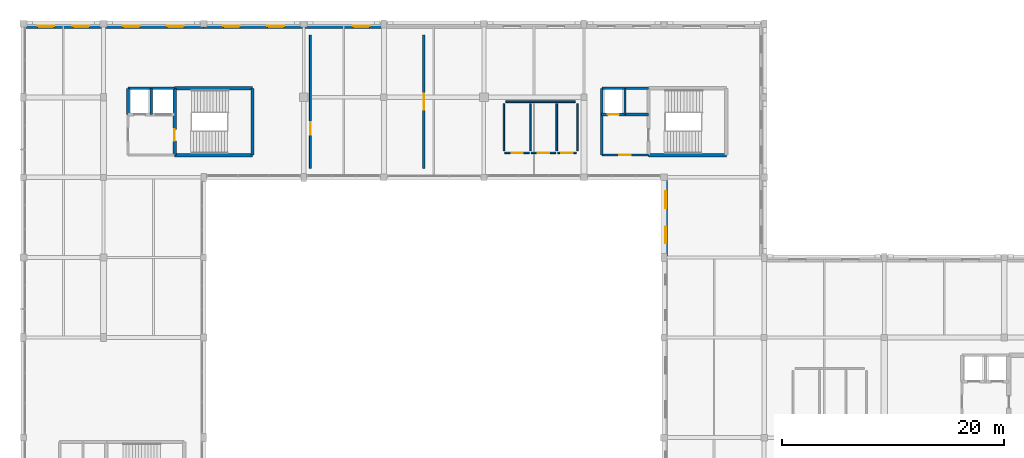
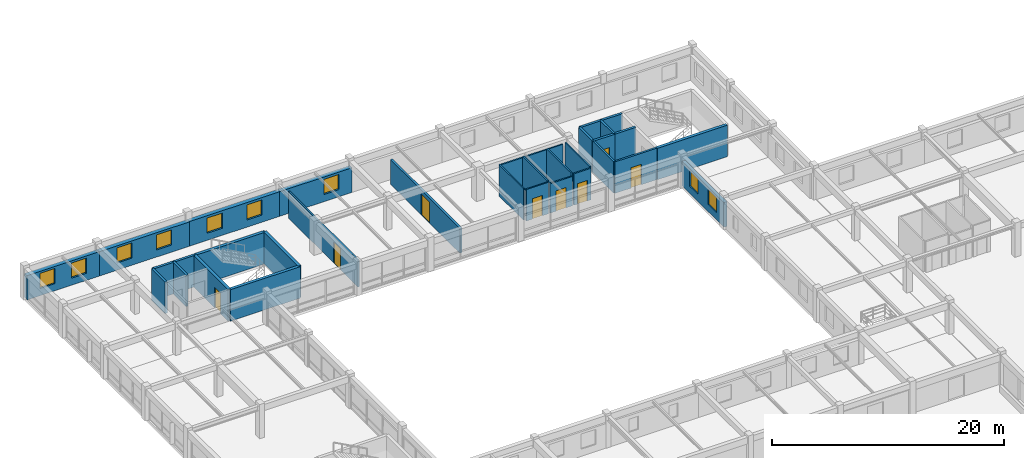
# One storey, part 54 of 74: 30 walls, 9 windows, 8 doors, 17 openings.
"""IFC4 building model written with IfcOpenShell, lengths in metres."""

import ifcopenshell
import ifcopenshell.guid

model = None  # the IFC model being written
_history = None  # IfcOwnerHistory: only IFC2X3 demands one
_inside = {}  # id of a spatial element -> (the spatial element, [elements in it])
_under = {}  # id of a project, library or spatial element -> (it, [spatial elements below it])
_declared = {}  # id of a project -> (the project, [libraries it declares])
_typed = {}  # id of a type object -> (the type object, [elements of that type])
_made_of = {}  # id of a material, layer set ... -> (it, [elements and type objects made of it])


def new_model(schema):
    """Start an empty IFC model of exactly this schema.

    Asked for "IFC4X3", IfcOpenShell would pick the latest addendum, in which some entities
    have other attributes; the version numbers below select the first issue.
    IFC2X3 requires an IfcOwnerHistory on every rooted entity: one is made here for all.
    """
    global model, _history
    if schema == "IFC4X3":
        model = ifcopenshell.file(schema_version=(4, 3, 0, 0))
    else:
        model = ifcopenshell.file(schema=schema)
    _inside.clear()
    _under.clear()
    _declared.clear()
    _typed.clear()
    _made_of.clear()
    _history = None
    if model.schema == "IFC2X3":
        org = make("IfcOrganization", Name="unknown")
        user = make(
            "IfcPersonAndOrganization",
            ThePerson=make("IfcPerson", FamilyName="unknown"),
            TheOrganization=org,
        )
        app = make(
            "IfcApplication",
            ApplicationDeveloper=org,
            Version="unknown",
            ApplicationFullName="unknown",
            ApplicationIdentifier="unknown",
        )
        _history = make(
            "IfcOwnerHistory",
            OwningUser=user,
            OwningApplication=app,
            ChangeAction="ADDED",
            CreationDate=0,
        )
    return model


def make(cls, **values):
    """One entity of the class cls with the attributes given. An attribute that is None is left unset."""
    return model.create_entity(
        cls, **{name: value for name, value in values.items() if value is not None}
    )


def rooted(cls, **values):
    """An entity with a GlobalId (a new one), such as an element, a storey or a relation."""
    return make(cls, GlobalId=ifcopenshell.guid.new(), OwnerHistory=_history, **values)


def si_unit(unit_type, name, prefix=None):
    """IfcSIUnit, for example si_unit("LENGTHUNIT", "METRE", prefix="MILLI")."""
    return make("IfcSIUnit", UnitType=unit_type, Prefix=prefix, Name=name)


def assignment(units):
    """IfcUnitAssignment: the units of a project."""
    return None if units is None else make("IfcUnitAssignment", Units=units)


def point(xyz):
    """IfcCartesianPoint."""
    return None if xyz is None else make("IfcCartesianPoint", Coordinates=xyz)


def direction(xyz):
    """IfcDirection."""
    return None if xyz is None else make("IfcDirection", DirectionRatios=xyz)


def frame(location, z_axis=None, x_axis=None):
    """IfcAxis2Placement3D, a coordinate frame: its origin and axes. An axis left out is left unset."""
    return make(
        "IfcAxis2Placement3D",
        Location=point(location),
        Axis=direction(z_axis),
        RefDirection=direction(x_axis),
    )


def frame_2d(location, x_axis=None):
    """IfcAxis2Placement2D, a coordinate frame in the plane: its origin and x axis."""
    return make(
        "IfcAxis2Placement2D", Location=point(location), RefDirection=direction(x_axis)
    )


def origin():
    """The frame at (0, 0, 0) with its axes left unset."""
    return frame((0.0, 0.0, 0.0))


def place(relative_to, where):
    """IfcLocalPlacement: puts the frame where relative to a parent placement (None: the world)."""
    return make(
        "IfcLocalPlacement", PlacementRelTo=relative_to, RelativePlacement=where
    )


def context(
    kind, dimensions, precision=None, world=None, true_north=None, identifier=None
):
    """IfcGeometricRepresentationContext, for example the 3D "Model" context."""
    return make(
        "IfcGeometricRepresentationContext",
        ContextIdentifier=identifier,
        ContextType=kind,
        CoordinateSpaceDimension=dimensions,
        Precision=precision,
        WorldCoordinateSystem=world,
        TrueNorth=true_north,
    )


def subcontext(parent, identifier, kind, view, scale=None):
    """IfcGeometricRepresentationSubContext, for example "Body" below "Model"."""
    return make(
        "IfcGeometricRepresentationSubContext",
        ContextIdentifier=identifier,
        ContextType=kind,
        ParentContext=parent,
        TargetScale=scale,
        TargetView=view,
    )


def project(units=None, contexts=None):
    """IfcProject with its units and contexts."""
    return rooted(
        "IfcProject",
        Name="project",
        RepresentationContexts=contexts,
        UnitsInContext=assignment(units),
    )


def spatial(cls, under=None, at=None, **own):
    """A site, building, storey or space (cls), placed at a placement, below another one or the project."""
    s = rooted(cls, ObjectPlacement=at, **own)
    if under is not None:
        _under.setdefault(under.id(), (under, []))[1].append(s)
    return s


def profile(cls, at=None, kind="AREA", **sizes):
    """A parametric profile (cls). Its sizes go by their IFC names, for example OverallWidth=200.0."""
    return make(cls, ProfileType=kind, Position=at, **sizes)


def rectangle(**sizes):
    """IfcRectangleProfileDef."""
    return profile("IfcRectangleProfileDef", **sizes)


def extrude(swept, where, along, depth):
    """IfcExtrudedAreaSolid: the profile swept, set in the frame where, extruded along a direction by depth."""
    return make(
        "IfcExtrudedAreaSolid",
        SweptArea=swept,
        Position=where,
        ExtrudedDirection=direction(along),
        Depth=depth,
    )


def shape(context_of_items, identifier, shape_type, items):
    """IfcShapeRepresentation: the items that make up one representation, for example the "Body"."""
    return make(
        "IfcShapeRepresentation",
        ContextOfItems=context_of_items,
        RepresentationIdentifier=identifier,
        RepresentationType=shape_type,
        Items=items,
    )


def material(Name=None, Category=None):
    """IfcMaterial."""
    return make("IfcMaterial", Name=Name, Category=Category)


def layer(
    of_material, thickness, ventilated=None, Name=None, Category=None, Priority=None
):
    """IfcMaterialLayer: one layer of a wall or slab, of a material (None: an air gap)."""
    return make(
        "IfcMaterialLayer",
        Material=of_material,
        LayerThickness=thickness,
        IsVentilated=ventilated,
        Name=Name,
        Category=Category,
        Priority=Priority,
    )


def layer_set(layers, Name=None):
    """IfcMaterialLayerSet."""
    return make("IfcMaterialLayerSet", MaterialLayers=layers, LayerSetName=Name)


def made_of(thing, what):
    """Note that an element or type object is made of a material, layer set ...; save() writes the relation."""
    if what is not None:
        _made_of.setdefault(what.id(), (what, []))[1].append(thing)
    return thing


def type_object(cls, material=None, **own):
    """A type object (cls), such as IfcWallType, which elements share."""
    return made_of(rooted(cls, **own), material)


def element(
    cls,
    number,
    at=None,
    inside=None,
    cuts=None,
    type_object=None,
    material=None,
    context=None,
    identifier="Body",
    shape_type=None,
    held_by="IfcProductDefinitionShape",
    body=None,
    shapes=None,
    **own,
):
    """One element of the class cls, such as IfcWall. Its Tag is "e" and its number.

    at: its placement. inside: the storey or other place that contains it. cuts: it is an
    opening in that element (IfcRelVoidsElement). A single representation is given by context,
    identifier, shape_type and body (its items); several are given by shapes. held_by: the class
    of the entity that holds the representations. save() writes the other relations.
    """
    e = rooted(cls, Tag="e%d" % number, ObjectPlacement=at, **own)
    if body is not None:
        shapes = [shape(context, identifier, shape_type, body)]
    if shapes is not None:
        e.Representation = make(held_by, Representations=shapes)
    if inside is not None:
        _inside.setdefault(inside.id(), (inside, []))[1].append(e)
    if cuts is not None:
        rooted(
            "IfcRelVoidsElement", RelatingBuildingElement=cuts, RelatedOpeningElement=e
        )
    if type_object is not None:
        _typed.setdefault(type_object.id(), (type_object, []))[1].append(e)
    return made_of(e, material)


def fill(opening, filler):
    """IfcRelFillsElement: the door or window that sits in an opening."""
    return rooted(
        "IfcRelFillsElement",
        RelatingOpeningElement=opening,
        RelatedBuildingElement=filler,
    )


def aggregate(whole, parts):
    """IfcRelAggregates: a whole, such as a stair, and the parts it consists of."""
    return rooted("IfcRelAggregates", RelatingObject=whole, RelatedObjects=parts)


def save(model, path):
    """Write the relations noted so far, then the file.

    IfcRelAggregates (storeys below a building ...), IfcRelContainedInSpatialStructure (elements
    in a storey), IfcRelDefinesByType, IfcRelAssociatesMaterial and IfcRelDeclares: one each for
    every whole, place, type object, material and project.
    """
    for whole, parts in _under.values():
        aggregate(whole, parts)
    for where, things in _inside.values():
        rooted(
            "IfcRelContainedInSpatialStructure",
            RelatedElements=things,
            RelatingStructure=where,
        )
    for kind, things in _typed.values():
        rooted("IfcRelDefinesByType", RelatedObjects=things, RelatingType=kind)
    for what, things in _made_of.values():
        rooted("IfcRelAssociatesMaterial", RelatedObjects=things, RelatingMaterial=what)
    for by, libraries in _declared.values():
        rooted("IfcRelDeclares", RelatingContext=by, RelatedDefinitions=libraries)
    model.write(path)


model = new_model("IFC4")

# Units and contexts
model_context = context("Model", 3, precision=1e-05, world=origin(), true_north=direction((0.0, 1.0)))
body_context = subcontext(model_context, "Body", "Model", "MODEL_VIEW")
ifc_project = project(units=[si_unit("LENGTHUNIT", "METRE"), si_unit("AREAUNIT", "SQUARE_METRE"), si_unit("VOLUMEUNIT", "CUBIC_METRE"), si_unit("PLANEANGLEUNIT", "RADIAN"), si_unit("MASSUNIT", "GRAM", prefix="KILO")], contexts=[model_context])

# Site, building, storey
site_placement = place(None, origin())
site = spatial("IfcSite", under=ifc_project, at=site_placement, CompositionType="ELEMENT")
building_placement = place(site_placement, origin())
building = spatial("IfcBuilding", under=site, at=building_placement, Name="Clarverna Civic Hall", CompositionType="ELEMENT")
storey_placement = place(building_placement, frame((0.0, 0.0, 9.60009765625)))
storey = spatial("IfcBuildingStorey", under=building, at=storey_placement, Name="L02", CompositionType="ELEMENT", Elevation=9.60009765625)

# Wall, openings, windows
ifc_material_1 = material(Name="Montjuic Limestone Ashlar Cladding", Category="masonry")
ifc_layer_1 = layer(ifc_material_1, 0.39990234375)
ifc_layer_set_1 = layer_set([ifc_layer_1], Name="Montjuic Limestone Ashlar Cladding")
wall_type_1 = type_object("IfcWallType", Name="EW-02", PredefinedType="SOLIDWALL", material=ifc_layer_set_1)
wall_1_placement = place(storey_placement, frame((0.0, 115.800048828125, 0.0), z_axis=(0.0, 0.0, 1.0), x_axis=(1.0, 0.0, 0.0)))
wall_1 = element("IfcWall", 1, at=wall_1_placement, inside=storey, type_object=wall_type_1, Name="EW-02-084", PredefinedType="SOLIDWALL", context=body_context, shape_type="SweptSolid", body=[
    extrude(rectangle(XDim=7.199951171875, YDim=0.39990234375, at=frame_2d((3.60009765625, 0.0))), origin(), (0.0, 0.0, 1.0), 2.56982421875),
])
opening_1_placement = place(wall_1_placement, frame((1.26611328125, 0.0, 0.75)))
opening_1 = element("IfcOpeningElement", 2, at=opening_1_placement, cuts=wall_1, Name="Opening WN-14", PredefinedType="OPENING", context=body_context, shape_type="SweptSolid", body=[
    extrude(rectangle(XDim=1.5, YDim=1.60009765625, at=frame_2d((0.75, 0.800048828125))), frame((0.0, 0.2099609375, 0.0), z_axis=(0.0, -1.0, 0.0), x_axis=(1.0, 0.0, 0.0)), (0.0, 0.0, 1.0), 0.419921875),
])
opening_2_placement = place(wall_1_placement, frame((4.43408203125, 0.0, 0.75)))
opening_2 = element("IfcOpeningElement", 3, at=opening_2_placement, cuts=wall_1, Name="Opening WN-14", PredefinedType="OPENING", context=body_context, shape_type="SweptSolid", body=[
    extrude(rectangle(XDim=1.5, YDim=1.60009765625, at=frame_2d((0.75, 0.800048828125))), frame((0.0, 0.2099609375, 0.0), z_axis=(0.0, -1.0, 0.0), x_axis=(1.0, 0.0, 0.0)), (0.0, 0.0, 1.0), 0.419921875),
])
ifc_material_2 = material(Name="Solar-Control Argon Low-E Double Glazing", Category="glass")
window_type = type_object("IfcWindowType", Name="WN-14", PartitioningType="DOUBLE_PANEL_HORIZONTAL", PredefinedType="WINDOW", material=ifc_material_2)
window_1_placement = place(opening_1_placement, origin())
window_1 = element("IfcWindow", 4, at=window_1_placement, inside=storey, type_object=window_type, Name="WN-14-023", OverallHeight=1.60009765625, OverallWidth=1.5, PartitioningType="DOUBLE_PANEL_HORIZONTAL", PredefinedType="WINDOW", context=body_context, shape_type="SweptSolid", body=[
    extrude(rectangle(XDim=1.5, YDim=1.60009765625, at=frame_2d((0.75, 0.800048828125))), frame((0.0, 0.030029296875, 0.0), z_axis=(0.0, -1.0, 0.0), x_axis=(1.0, 0.0, 0.0)), (0.0, 0.0, 1.0), 0.06005859375),
])
fill(opening_1, window_1)
window_2_placement = place(opening_2_placement, origin())
window_2 = element("IfcWindow", 5, at=window_2_placement, inside=storey, type_object=window_type, Name="WN-14-024", OverallHeight=1.60009765625, OverallWidth=1.5, PartitioningType="DOUBLE_PANEL_HORIZONTAL", PredefinedType="WINDOW", context=body_context, shape_type="SweptSolid", body=[
    extrude(rectangle(XDim=1.5, YDim=1.60009765625, at=frame_2d((0.75, 0.800048828125))), frame((0.0, 0.030029296875, 0.0), z_axis=(0.0, -1.0, 0.0), x_axis=(1.0, 0.0, 0.0)), (0.0, 0.0, 1.0), 0.06005859375),
])
fill(opening_2, window_2)

wall_2_placement = place(storey_placement, frame((7.199951171875, 115.800048828125, 0.0), z_axis=(0.0, 0.0, 1.0), x_axis=(1.0, 0.0, 0.0)))
wall_2 = element("IfcWall", 6, at=wall_2_placement, inside=storey, type_object=wall_type_1, Name="EW-02-085", PredefinedType="SOLIDWALL", context=body_context, shape_type="SweptSolid", body=[
    extrude(rectangle(XDim=9.0, YDim=0.39990234375, at=frame_2d((4.5, 0.0))), origin(), (0.0, 0.0, 1.0), 2.56982421875),
])
opening_3_placement = place(wall_2_placement, frame((1.77001953125, 0.0, 0.75)))
opening_3 = element("IfcOpeningElement", 7, at=opening_3_placement, cuts=wall_2, Name="Opening WN-14", PredefinedType="OPENING", context=body_context, shape_type="SweptSolid", body=[
    extrude(rectangle(XDim=1.5, YDim=1.60009765625, at=frame_2d((0.75, 0.800048828125))), frame((0.0, 0.2099609375, 0.0), z_axis=(0.0, -1.0, 0.0), x_axis=(1.0, 0.0, 0.0)), (0.0, 0.0, 1.0), 0.419921875),
])
opening_4_placement = place(wall_2_placement, frame((5.72998046875, 0.0, 0.75)))
opening_4 = element("IfcOpeningElement", 8, at=opening_4_placement, cuts=wall_2, Name="Opening WN-14", PredefinedType="OPENING", context=body_context, shape_type="SweptSolid", body=[
    extrude(rectangle(XDim=1.5, YDim=1.60009765625, at=frame_2d((0.75, 0.800048828125))), frame((0.0, 0.2099609375, 0.0), z_axis=(0.0, -1.0, 0.0), x_axis=(1.0, 0.0, 0.0)), (0.0, 0.0, 1.0), 0.419921875),
])
window_3_placement = place(opening_3_placement, origin())
window_3 = element("IfcWindow", 9, at=window_3_placement, inside=storey, type_object=window_type, Name="WN-14-025", OverallHeight=1.60009765625, OverallWidth=1.5, PartitioningType="DOUBLE_PANEL_HORIZONTAL", PredefinedType="WINDOW", context=body_context, shape_type="SweptSolid", body=[
    extrude(rectangle(XDim=1.5, YDim=1.60009765625, at=frame_2d((0.75, 0.800048828125))), frame((0.0, 0.030029296875, 0.0), z_axis=(0.0, -1.0, 0.0), x_axis=(1.0, 0.0, 0.0)), (0.0, 0.0, 1.0), 0.06005859375),
])
fill(opening_3, window_3)
window_4_placement = place(opening_4_placement, origin())
window_4 = element("IfcWindow", 10, at=window_4_placement, inside=storey, type_object=window_type, Name="WN-14-026", OverallHeight=1.60009765625, OverallWidth=1.5, PartitioningType="DOUBLE_PANEL_HORIZONTAL", PredefinedType="WINDOW", context=body_context, shape_type="SweptSolid", body=[
    extrude(rectangle(XDim=1.5, YDim=1.60009765625, at=frame_2d((0.75, 0.800048828125))), frame((0.0, 0.030029296875, 0.0), z_axis=(0.0, -1.0, 0.0), x_axis=(1.0, 0.0, 0.0)), (0.0, 0.0, 1.0), 0.06005859375),
])
fill(opening_4, window_4)

wall_3_placement = place(storey_placement, frame((16.199951171875, 115.800048828125, 0.0), z_axis=(0.0, 0.0, 1.0), x_axis=(1.0, 0.0, 0.0)))
wall_3 = element("IfcWall", 11, at=wall_3_placement, inside=storey, type_object=wall_type_1, Name="EW-02-086", PredefinedType="SOLIDWALL", context=body_context, shape_type="SweptSolid", body=[
    extrude(rectangle(XDim=9.0, YDim=0.39990234375, at=frame_2d((4.5, 0.0))), origin(), (0.0, 0.0, 1.0), 2.599853515625),
])
opening_5_placement = place(wall_3_placement, frame((1.77001953125, 0.0, 0.75)))
opening_5 = element("IfcOpeningElement", 12, at=opening_5_placement, cuts=wall_3, Name="Opening WN-14", PredefinedType="OPENING", context=body_context, shape_type="SweptSolid", body=[
    extrude(rectangle(XDim=1.5, YDim=1.60009765625, at=frame_2d((0.75, 0.800048828125))), frame((0.0, 0.2099609375, 0.0), z_axis=(0.0, -1.0, 0.0), x_axis=(1.0, 0.0, 0.0)), (0.0, 0.0, 1.0), 0.419921875),
])
opening_6_placement = place(wall_3_placement, frame((5.72998046875, 0.0, 0.75)))
opening_6 = element("IfcOpeningElement", 13, at=opening_6_placement, cuts=wall_3, Name="Opening WN-14", PredefinedType="OPENING", context=body_context, shape_type="SweptSolid", body=[
    extrude(rectangle(XDim=1.5, YDim=1.60009765625, at=frame_2d((0.75, 0.800048828125))), frame((0.0, 0.2099609375, 0.0), z_axis=(0.0, -1.0, 0.0), x_axis=(1.0, 0.0, 0.0)), (0.0, 0.0, 1.0), 0.419921875),
])
window_5_placement = place(opening_5_placement, origin())
window_5 = element("IfcWindow", 14, at=window_5_placement, inside=storey, type_object=window_type, Name="WN-14-027", OverallHeight=1.60009765625, OverallWidth=1.5, PartitioningType="DOUBLE_PANEL_HORIZONTAL", PredefinedType="WINDOW", context=body_context, shape_type="SweptSolid", body=[
    extrude(rectangle(XDim=1.5, YDim=1.60009765625, at=frame_2d((0.75, 0.800048828125))), frame((0.0, 0.030029296875, 0.0), z_axis=(0.0, -1.0, 0.0), x_axis=(1.0, 0.0, 0.0)), (0.0, 0.0, 1.0), 0.06005859375),
])
fill(opening_5, window_5)
window_6_placement = place(opening_6_placement, origin())
window_6 = element("IfcWindow", 15, at=window_6_placement, inside=storey, type_object=window_type, Name="WN-14-028", OverallHeight=1.60009765625, OverallWidth=1.5, PartitioningType="DOUBLE_PANEL_HORIZONTAL", PredefinedType="WINDOW", context=body_context, shape_type="SweptSolid", body=[
    extrude(rectangle(XDim=1.5, YDim=1.60009765625, at=frame_2d((0.75, 0.800048828125))), frame((0.0, 0.030029296875, 0.0), z_axis=(0.0, -1.0, 0.0), x_axis=(1.0, 0.0, 0.0)), (0.0, 0.0, 1.0), 0.06005859375),
])
fill(opening_6, window_6)

# Wall, opening, window
wall_4_placement = place(storey_placement, frame((25.199951171875, 115.800048828125, 0.0), z_axis=(0.0, 0.0, 1.0), x_axis=(1.0, 0.0, 0.0)))
wall_4 = element("IfcWall", 16, at=wall_4_placement, inside=storey, type_object=wall_type_1, Name="EW-02-087", PredefinedType="SOLIDWALL", context=body_context, shape_type="SweptSolid", body=[
    extrude(rectangle(XDim=7.199951171875, YDim=0.39990234375, at=frame_2d((3.60009765625, 0.0))), origin(), (0.0, 0.0, 1.0), 2.599853515625),
])
opening_7_placement = place(wall_4_placement, frame((4.43408203125, 0.0, 0.75)))
opening_7 = element("IfcOpeningElement", 17, at=opening_7_placement, cuts=wall_4, Name="Opening WN-14", PredefinedType="OPENING", context=body_context, shape_type="SweptSolid", body=[
    extrude(rectangle(XDim=1.5, YDim=1.60009765625, at=frame_2d((0.75, 0.800048828125))), frame((0.0, 0.2099609375, 0.0), z_axis=(0.0, -1.0, 0.0), x_axis=(1.0, 0.0, 0.0)), (0.0, 0.0, 1.0), 0.419921875),
])
window_7_placement = place(opening_7_placement, origin())
window_7 = element("IfcWindow", 18, at=window_7_placement, inside=storey, type_object=window_type, Name="WN-14-029", OverallHeight=1.60009765625, OverallWidth=1.5, PartitioningType="DOUBLE_PANEL_HORIZONTAL", PredefinedType="WINDOW", context=body_context, shape_type="SweptSolid", body=[
    extrude(rectangle(XDim=1.5, YDim=1.60009765625, at=frame_2d((0.75, 0.800048828125))), frame((0.0, 0.030029296875, 0.0), z_axis=(0.0, -1.0, 0.0), x_axis=(1.0, 0.0, 0.0)), (0.0, 0.0, 1.0), 0.06005859375),
])
fill(opening_7, window_7)

# Wall, openings, windows
ifc_material_3 = material(Name="Precast concrete C40/50", Category="concrete")
ifc_layer_2 = layer(ifc_material_3, 0.320068359375)
ifc_layer_set_2 = layer_set([ifc_layer_2], Name="Precast concrete C40/50")
wall_type_2 = type_object("IfcWallType", Name="EW-04", PredefinedType="SOLIDWALL", material=ifc_layer_set_2)
wall_5_placement = place(storey_placement, frame((57.760009765625, 95.0, 0.0), z_axis=(0.0, 0.0, 1.0), x_axis=(0.0, 1.0, 0.0)))
wall_5 = element("IfcWall", 19, at=wall_5_placement, inside=storey, type_object=wall_type_2, Name="EW-04-018", PredefinedType="SOLIDWALL", context=body_context, shape_type="SweptSolid", body=[
    extrude(rectangle(XDim=7.199951171875, YDim=0.320068359375, at=frame_2d((3.60009765625, 0.0))), origin(), (0.0, 0.0, 1.0), 2.599853515625),
])
opening_8_placement = place(wall_5_placement, frame((1.26611328125, 0.0, 0.75)))
opening_8 = element("IfcOpeningElement", 20, at=opening_8_placement, cuts=wall_5, Name="Opening WN-14", PredefinedType="OPENING", context=body_context, shape_type="SweptSolid", body=[
    extrude(rectangle(XDim=1.5, YDim=1.60009765625, at=frame_2d((0.75, 0.800048828125))), frame((0.0, 0.169921875, 0.0), z_axis=(0.0, -1.0, 0.0), x_axis=(1.0, 0.0, 0.0)), (0.0, 0.0, 1.0), 0.340087890625),
])
opening_9_placement = place(wall_5_placement, frame((4.43408203125, 0.0, 0.75)))
opening_9 = element("IfcOpeningElement", 21, at=opening_9_placement, cuts=wall_5, Name="Opening WN-14", PredefinedType="OPENING", context=body_context, shape_type="SweptSolid", body=[
    extrude(rectangle(XDim=1.5, YDim=1.60009765625, at=frame_2d((0.75, 0.800048828125))), frame((0.0, 0.169921875, 0.0), z_axis=(0.0, -1.0, 0.0), x_axis=(1.0, 0.0, 0.0)), (0.0, 0.0, 1.0), 0.340087890625),
])
window_8_placement = place(opening_8_placement, origin())
window_8 = element("IfcWindow", 22, at=window_8_placement, inside=storey, type_object=window_type, Name="WN-14-107", OverallHeight=1.60009765625, OverallWidth=1.5, PartitioningType="DOUBLE_PANEL_HORIZONTAL", PredefinedType="WINDOW", context=body_context, shape_type="SweptSolid", body=[
    extrude(rectangle(XDim=1.5, YDim=1.60009765625, at=frame_2d((0.75, 0.800048828125))), frame((0.0, 0.030029296875, 0.0), z_axis=(0.0, -1.0, 0.0), x_axis=(1.0, 0.0, 0.0)), (0.0, 0.0, 1.0), 0.06005859375),
])
fill(opening_8, window_8)
window_9_placement = place(opening_9_placement, origin())
window_9 = element("IfcWindow", 23, at=window_9_placement, inside=storey, type_object=window_type, Name="WN-14-108", OverallHeight=1.60009765625, OverallWidth=1.5, PartitioningType="DOUBLE_PANEL_HORIZONTAL", PredefinedType="WINDOW", context=body_context, shape_type="SweptSolid", body=[
    extrude(rectangle(XDim=1.5, YDim=1.60009765625, at=frame_2d((0.75, 0.800048828125))), frame((0.0, 0.030029296875, 0.0), z_axis=(0.0, -1.0, 0.0), x_axis=(1.0, 0.0, 0.0)), (0.0, 0.0, 1.0), 0.06005859375),
])
fill(opening_9, window_9)

# Wall, opening, door
ifc_material_4 = material(Name="Acoustic Gypsum Plasterboard Partition", Category="gypsum")
ifc_layer_3 = layer(ifc_material_4, 0.159912109375)
ifc_layer_set_3 = layer_set([ifc_layer_3], Name="Acoustic Gypsum Plasterboard Partition")
wall_type_3 = type_object("IfcWallType", Name="PW-01", PredefinedType="PARTITIONING", material=ifc_layer_set_3)
wall_6_placement = place(storey_placement, frame((25.800048828125, 103.0, 0.0), z_axis=(0.0, 0.0, 1.0), x_axis=(0.0, 1.0, 0.0)))
wall_6 = element("IfcWall", 24, at=wall_6_placement, inside=storey, type_object=wall_type_3, Name="PW-01-005", PredefinedType="PARTITIONING", context=body_context, shape_type="SweptSolid", body=[
    extrude(rectangle(XDim=12.0, YDim=0.159912109375, at=frame_2d((6.0, 0.0))), origin(), (0.0, 0.0, 1.0), 2.81982421875),
])
opening_10_placement = place(wall_6_placement, frame((3.02490234375, 0.0, 0.0)))
opening_10 = element("IfcOpeningElement", 25, at=opening_10_placement, cuts=wall_6, Name="Opening ID-03", PredefinedType="OPENING", context=body_context, shape_type="SweptSolid", body=[
    extrude(rectangle(XDim=1.14990234375, YDim=2.199951171875, at=frame_2d((0.574951171875, 1.10009765625))), frame((0.0, 0.08984375, 0.0), z_axis=(0.0, -1.0, 0.0), x_axis=(1.0, 0.0, 0.0)), (0.0, 0.0, 1.0), 0.179931640625),
])
ifc_material_5 = material(Name="European Oak Veneered Acoustic Timber Door", Category="wood")
door_type_1 = type_object("IfcDoorType", Name="ID-03", OperationType="NOTDEFINED", PredefinedType="DOOR", material=ifc_material_5)
door_1_placement = place(opening_10_placement, origin())
door_1 = element("IfcDoor", 26, at=door_1_placement, inside=storey, type_object=door_type_1, Name="ID-03-003", OperationType="SINGLE_SWING_RIGHT", OverallHeight=2.199951171875, OverallWidth=1.14990234375, PredefinedType="DOOR", context=body_context, shape_type="SweptSolid", body=[
    extrude(rectangle(XDim=1.14990234375, YDim=2.199951171875, at=frame_2d((0.574951171875, 1.10009765625))), frame((0.0, 0.02490234375, 0.0), z_axis=(0.0, -1.0, 0.0), x_axis=(1.0, 0.0, 0.0)), (0.0, 0.0, 1.0), 0.050048828125),
])
fill(opening_10, door_1)

# Walls
ifc_material_6 = material(Name="Ceramic Brick and Plaster Wet-Room Partition", Category="masonry")
ifc_layer_4 = layer(ifc_material_6, 0.139892578125)
ifc_layer_set_4 = layer_set([ifc_layer_4], Name="Ceramic Brick and Plaster Wet-Room Partition")
wall_type_4 = type_object("IfcWallType", Name="PW-02", PredefinedType="PARTITIONING", material=ifc_layer_set_4)
wall_7_placement = place(storey_placement, frame((43.3798828125, 109.0, 0.0), z_axis=(0.0, 0.0, 1.0), x_axis=(1.0, 0.0, 0.0)))
element("IfcWall", 27, at=wall_7_placement, inside=storey, type_object=wall_type_4, Name="PW-02-137", PredefinedType="PARTITIONING", context=body_context, shape_type="SweptSolid", body=[
    extrude(rectangle(XDim=6.240234375, YDim=0.139892578125, at=frame_2d((3.1201171875, 0.0))), origin(), (0.0, 0.0, 1.0), 3.099853515625),
])
for number, where, z_axis, x_axis, name in (
    (28, (43.199951171875, 104.580078125, 0.0), (0.0, 0.0, 1.0), (0.0, 1.0, 0.0), "PW-02-138"),
    (29, (49.800048828125, 104.580078125, 0.0), (0.0, 0.0, 1.0), (0.0, 1.0, 0.0), "PW-02-139"),
    (30, (45.575927734375, 104.580078125, 0.0), (0.0, 0.0, 1.0), (0.0, 1.0, 0.0), "PW-02-140"),
    (31, (47.951904296875, 104.580078125, 0.0), (0.0, 0.0, 1.0), (0.0, 1.0, 0.0), "PW-02-141"),
):
    element("IfcWall", number, at=place(storey_placement, frame(where, z_axis=z_axis, x_axis=x_axis)), inside=storey, type_object=wall_type_4, Name=name, PredefinedType="PARTITIONING", context=body_context, shape_type="SweptSolid", body=[
        extrude(rectangle(XDim=4.239990234375, YDim=0.139892578125, at=frame_2d((2.1201171875, 0.0))), origin(), (0.0, 0.0, 1.0), 3.31982421875),
    ])

# Wall, opening, door
wall_8_placement = place(storey_placement, frame((43.280029296875, 104.39990234375, 0.0), z_axis=(0.0, 0.0, 1.0), x_axis=(1.0, 0.0, 0.0)))
wall_8 = element("IfcWall", 32, at=wall_8_placement, inside=storey, type_object=wall_type_4, Name="PW-02-142", PredefinedType="PARTITIONING", context=body_context, shape_type="SweptSolid", body=[
    extrude(rectangle(XDim=2.216064453125, YDim=0.139892578125, at=frame_2d((1.10791015625, 0.0))), origin(), (0.0, 0.0, 1.0), 3.31982421875),
])
opening_11_placement = place(wall_8_placement, frame((0.60791015625, 0.0, 0.0)))
opening_11 = element("IfcOpeningElement", 33, at=opening_11_placement, cuts=wall_8, Name="Opening ID-02", PredefinedType="OPENING", context=body_context, shape_type="SweptSolid", body=[
    extrude(rectangle(XDim=1.0, YDim=2.14990234375, at=frame_2d((0.5, 1.074951171875))), frame((0.0, 0.079833984375, 0.0), z_axis=(0.0, -1.0, 0.0), x_axis=(1.0, 0.0, 0.0)), (0.0, 0.0, 1.0), 0.159912109375),
])
door_type_2 = type_object("IfcDoorType", Name="ID-02", OperationType="NOTDEFINED", PredefinedType="DOOR", material=ifc_material_5)
door_2_placement = place(opening_11_placement, origin())
door_2 = element("IfcDoor", 34, at=door_2_placement, inside=storey, type_object=door_type_2, Name="ID-02-052", OperationType="SINGLE_SWING_RIGHT", OverallHeight=2.14990234375, OverallWidth=1.0, PredefinedType="DOOR", context=body_context, shape_type="SweptSolid", body=[
    extrude(rectangle(XDim=1.0, YDim=2.14990234375, at=frame_2d((0.5, 1.074951171875))), frame((0.0, 0.02490234375, 0.0), z_axis=(0.0, -1.0, 0.0), x_axis=(1.0, 0.0, 0.0)), (0.0, 0.0, 1.0), 0.050048828125),
])
fill(opening_11, door_2)

wall_9_placement = place(storey_placement, frame((45.656005859375, 104.39990234375, 0.0), z_axis=(0.0, 0.0, 1.0), x_axis=(1.0, 0.0, 0.0)))
wall_9 = element("IfcWall", 35, at=wall_9_placement, inside=storey, type_object=wall_type_4, Name="PW-02-143", PredefinedType="PARTITIONING", context=body_context, shape_type="SweptSolid", body=[
    extrude(rectangle(XDim=2.216064453125, YDim=0.139892578125, at=frame_2d((1.10791015625, 0.0))), origin(), (0.0, 0.0, 1.0), 3.099853515625),
])
opening_12_placement = place(wall_9_placement, frame((0.60791015625, 0.0, 0.0)))
opening_12 = element("IfcOpeningElement", 36, at=opening_12_placement, cuts=wall_9, Name="Opening ID-02", PredefinedType="OPENING", context=body_context, shape_type="SweptSolid", body=[
    extrude(rectangle(XDim=1.0, YDim=2.14990234375, at=frame_2d((0.5, 1.074951171875))), frame((0.0, 0.079833984375, 0.0), z_axis=(0.0, -1.0, 0.0), x_axis=(1.0, 0.0, 0.0)), (0.0, 0.0, 1.0), 0.159912109375),
])
door_3_placement = place(opening_12_placement, origin())
door_3 = element("IfcDoor", 37, at=door_3_placement, inside=storey, type_object=door_type_2, Name="ID-02-053", OperationType="SINGLE_SWING_LEFT", OverallHeight=2.14990234375, OverallWidth=1.0, PredefinedType="DOOR", context=body_context, shape_type="SweptSolid", body=[
    extrude(rectangle(XDim=1.0, YDim=2.14990234375, at=frame_2d((0.5, 1.074951171875))), frame((0.0, 0.02490234375, 0.0), z_axis=(0.0, -1.0, 0.0), x_axis=(1.0, 0.0, 0.0)), (0.0, 0.0, 1.0), 0.050048828125),
])
fill(opening_12, door_3)

wall_10_placement = place(storey_placement, frame((48.031982421875, 104.39990234375, 0.0), z_axis=(0.0, 0.0, 1.0), x_axis=(1.0, 0.0, 0.0)))
wall_10 = element("IfcWall", 38, at=wall_10_placement, inside=storey, type_object=wall_type_4, Name="PW-02-144", PredefinedType="PARTITIONING", context=body_context, shape_type="SweptSolid", body=[
    extrude(rectangle(XDim=1.68798828125, YDim=0.139892578125, at=frame_2d((0.843994140625, 0.0))), origin(), (0.0, 0.0, 1.0), 3.31982421875),
])
opening_13_placement = place(wall_10_placement, frame((0.343994140625, 0.0, 0.0)))
opening_13 = element("IfcOpeningElement", 39, at=opening_13_placement, cuts=wall_10, Name="Opening ID-02", PredefinedType="OPENING", context=body_context, shape_type="SweptSolid", body=[
    extrude(rectangle(XDim=1.0, YDim=2.14990234375, at=frame_2d((0.5, 1.074951171875))), frame((0.0, 0.079833984375, 0.0), z_axis=(0.0, -1.0, 0.0), x_axis=(1.0, 0.0, 0.0)), (0.0, 0.0, 1.0), 0.159912109375),
])
door_4_placement = place(opening_13_placement, origin())
door_4 = element("IfcDoor", 40, at=door_4_placement, inside=storey, type_object=door_type_2, Name="ID-02-054", OperationType="SINGLE_SWING_RIGHT", OverallHeight=2.14990234375, OverallWidth=1.0, PredefinedType="DOOR", context=body_context, shape_type="SweptSolid", body=[
    extrude(rectangle(XDim=1.0, YDim=2.14990234375, at=frame_2d((0.5, 1.074951171875))), frame((0.0, 0.02490234375, 0.0), z_axis=(0.0, -1.0, 0.0), x_axis=(1.0, 0.0, 0.0)), (0.0, 0.0, 1.0), 0.050048828125),
])
fill(opening_13, door_4)

ifc_material_7 = material(Name="Aerated Concrete Masonry Blockwork", Category="masonry")
ifc_layer_5 = layer(ifc_material_7, 0.219970703125)
ifc_layer_set_5 = layer_set([ifc_layer_5], Name="Aerated Concrete Masonry Blockwork")
wall_type_5 = type_object("IfcWallType", Name="PW-05", PredefinedType="PARTITIONING", material=ifc_layer_set_5)
wall_11_placement = place(storey_placement, frame((36.0, 103.0, 0.0), z_axis=(0.0, 0.0, 1.0), x_axis=(0.0, 1.0, 0.0)))
wall_11 = element("IfcWall", 41, at=wall_11_placement, inside=storey, type_object=wall_type_5, Name="PW-05-010", PredefinedType="PARTITIONING", context=body_context, shape_type="SweptSolid", body=[
    extrude(rectangle(XDim=12.0, YDim=0.219970703125, at=frame_2d((6.0, 0.0))), origin(), (0.0, 0.0, 1.0), 2.619873046875),
])
opening_14_placement = place(wall_11_placement, frame((5.27490234375, 0.0, 0.0)))
opening_14 = element("IfcOpeningElement", 42, at=opening_14_placement, cuts=wall_11, Name="Opening FD-01", PredefinedType="OPENING", context=body_context, shape_type="SweptSolid", body=[
    extrude(rectangle(XDim=1.449951171875, YDim=2.199951171875, at=frame_2d((0.72509765625, 1.10009765625))), frame((0.0, 0.119873046875, 0.0), z_axis=(0.0, -1.0, 0.0), x_axis=(1.0, 0.0, 0.0)), (0.0, 0.0, 1.0), 0.239990234375),
])
ifc_material_8 = material(Name="Acoustic Timber-Faced Fire Door", Category="wood")
door_type_3 = type_object("IfcDoorType", Name="FD-01", OperationType="DOUBLE_DOOR_SINGLE_SWING", PredefinedType="DOOR", material=ifc_material_8)
door_5_placement = place(opening_14_placement, origin())
door_5 = element("IfcDoor", 43, at=door_5_placement, inside=storey, type_object=door_type_3, Name="FD-01-012", OperationType="DOUBLE_DOOR_SINGLE_SWING", OverallHeight=2.199951171875, OverallWidth=1.449951171875, PredefinedType="DOOR", context=body_context, shape_type="SweptSolid", body=[
    extrude(rectangle(XDim=1.449951171875, YDim=2.199951171875, at=frame_2d((0.72509765625, 1.10009765625))), frame((0.0, 0.02490234375, 0.0), z_axis=(0.0, -1.0, 0.0), x_axis=(1.0, 0.0, 0.0)), (0.0, 0.0, 1.0), 0.050048828125),
])
fill(opening_14, door_5)

# Wall
ifc_material_9 = material(Name="Acoustic Gypsum Plasterboard on Twin Frame", Category="gypsum")
ifc_layer_6 = layer(ifc_material_9, 0.18994140625)
ifc_layer_set_6 = layer_set([ifc_layer_6], Name="Acoustic Gypsum Plasterboard on Twin Frame")
wall_type_6 = type_object("IfcWallType", Name="PW-06", PredefinedType="PARTITIONING", material=ifc_layer_set_6)
wall_12_placement = place(storey_placement, frame((52.0, 104.199951171875, 0.0), z_axis=(0.0, 0.0, 1.0), x_axis=(0.0, 1.0, 0.0)))
element("IfcWall", 44, at=wall_12_placement, inside=storey, type_object=wall_type_6, Name="PW-06-109", PredefinedType="PARTITIONING", context=body_context, shape_type="SweptSolid", body=[
    extrude(rectangle(XDim=3.650146484375, YDim=0.18994140625, at=frame_2d((1.8251953125, 0.0))), origin(), (0.0, 0.0, 1.0), 3.31982421875),
])

# Wall, opening, door
wall_13_placement = place(storey_placement, frame((52.0, 104.199951171875, 0.0), z_axis=(0.0, 0.0, 1.0), x_axis=(1.0, 0.0, 0.0)))
wall_13 = element("IfcWall", 45, at=wall_13_placement, inside=storey, type_object=wall_type_6, Name="PW-06-110", PredefinedType="PARTITIONING", context=body_context, shape_type="SweptSolid", body=[
    extrude(rectangle(XDim=4.199951171875, YDim=0.18994140625, at=frame_2d((2.10009765625, 0.0))), origin(), (0.0, 0.0, 1.0), 3.31982421875),
])
opening_15_placement = place(wall_13_placement, frame((1.574951171875, 0.0, 0.0)))
opening_15 = element("IfcOpeningElement", 46, at=opening_15_placement, cuts=wall_13, Name="Opening FD-02", PredefinedType="OPENING", context=body_context, shape_type="SweptSolid", body=[
    extrude(rectangle(XDim=1.050048828125, YDim=2.14990234375, at=frame_2d((0.52490234375, 1.074951171875))), frame((0.0, 0.10498046875, 0.0), z_axis=(0.0, -1.0, 0.0), x_axis=(1.0, 0.0, 0.0)), (0.0, 0.0, 1.0), 0.2099609375),
])
door_type_4 = type_object("IfcDoorType", Name="FD-02", OperationType="NOTDEFINED", PredefinedType="DOOR", material=ifc_material_8)
door_6_placement = place(opening_15_placement, origin())
door_6 = element("IfcDoor", 47, at=door_6_placement, inside=storey, type_object=door_type_4, Name="FD-02-101", OperationType="SINGLE_SWING_RIGHT", OverallHeight=2.14990234375, OverallWidth=1.050048828125, PredefinedType="DOOR", context=body_context, shape_type="SweptSolid", body=[
    extrude(rectangle(XDim=1.050048828125, YDim=2.14990234375, at=frame_2d((0.52490234375, 1.074951171875))), frame((0.0, 0.02490234375, 0.0), z_axis=(0.0, -1.0, 0.0), x_axis=(1.0, 0.0, 0.0)), (0.0, 0.0, 1.0), 0.050048828125),
])
fill(opening_15, door_6)

ifc_material_10 = material(Name="Concrete C35/45", Category="concrete")
ifc_layer_7 = layer(ifc_material_10, 0.300048828125)
ifc_layer_set_7 = layer_set([ifc_layer_7], Name="Concrete C35/45")
wall_type_7 = type_object("IfcWallType", Name="SW-03", PredefinedType="SHEAR", material=ifc_layer_set_7)
wall_14_placement = place(storey_placement, frame((13.60009765625, 104.199951171875, 0.0), z_axis=(0.0, 0.0, 1.0), x_axis=(0.0, 1.0, 0.0)))
wall_14 = element("IfcWall", 48, at=wall_14_placement, inside=storey, type_object=wall_type_7, Name="SW-03-028", PredefinedType="SHEAR", context=body_context, shape_type="SweptSolid", body=[
    extrude(rectangle(XDim=6.0, YDim=0.300048828125, at=frame_2d((3.0, 0.0))), origin(), (0.0, 0.0, 1.0), 3.31982421875),
])
opening_16_placement = place(wall_14_placement, frame((1.27490234375, 0.0, 0.0)))
opening_16 = element("IfcOpeningElement", 49, at=opening_16_placement, cuts=wall_14, Name="Opening FD-02", PredefinedType="OPENING", context=body_context, shape_type="SweptSolid", body=[
    extrude(rectangle(XDim=1.050048828125, YDim=2.14990234375, at=frame_2d((0.52490234375, 1.074951171875))), frame((0.0, 0.159912109375, 0.0), z_axis=(0.0, -1.0, 0.0), x_axis=(1.0, 0.0, 0.0)), (0.0, 0.0, 1.0), 0.320068359375),
])
door_7_placement = place(opening_16_placement, origin())
door_7 = element("IfcDoor", 50, at=door_7_placement, inside=storey, type_object=door_type_4, Name="FD-02-058", OperationType="SINGLE_SWING_LEFT", OverallHeight=2.14990234375, OverallWidth=1.050048828125, PredefinedType="DOOR", context=body_context, shape_type="SweptSolid", body=[
    extrude(rectangle(XDim=1.050048828125, YDim=2.14990234375, at=frame_2d((0.52490234375, 1.074951171875))), frame((0.0, 0.02490234375, 0.0), z_axis=(0.0, -1.0, 0.0), x_axis=(1.0, 0.0, 0.0)), (0.0, 0.0, 1.0), 0.050048828125),
])
fill(opening_16, door_7)

# Walls
wall_15_placement = place(storey_placement, frame((20.60009765625, 104.199951171875, 0.0), z_axis=(0.0, 0.0, 1.0), x_axis=(0.0, 1.0, 0.0)))
element("IfcWall", 51, at=wall_15_placement, inside=storey, type_object=wall_type_7, Name="SW-03-029", PredefinedType="SHEAR", context=body_context, shape_type="SweptSolid", body=[
    extrude(rectangle(XDim=6.0, YDim=0.300048828125, at=frame_2d((3.0, 0.0))), origin(), (0.0, 0.0, 1.0), 3.31982421875),
])
for number, where, z_axis, x_axis, name in (
    (52, (13.60009765625, 104.199951171875, 0.0), (0.0, 0.0, 1.0), (1.0, 0.0, 0.0), "SW-03-030"),
    (53, (13.60009765625, 110.199951171875, 0.0), (0.0, 0.0, 1.0), (1.0, 0.0, 0.0), "SW-03-031"),
):
    element("IfcWall", number, at=place(storey_placement, frame(where, z_axis=z_axis, x_axis=x_axis)), inside=storey, type_object=wall_type_7, Name=name, PredefinedType="SHEAR", context=body_context, shape_type="SweptSolid", body=[
        extrude(rectangle(XDim=7.0, YDim=0.300048828125, at=frame_2d((3.5, 0.0))), origin(), (0.0, 0.0, 1.0), 3.31982421875),
    ])
wall_16_placement = place(storey_placement, frame((9.39990234375, 110.199951171875, 0.0), z_axis=(0.0, 0.0, 1.0), x_axis=(1.0, 0.0, 0.0)))
element("IfcWall", 54, at=wall_16_placement, inside=storey, type_object=wall_type_7, Name="SW-03-032", PredefinedType="SHEAR", context=body_context, shape_type="SweptSolid", body=[
    extrude(rectangle(XDim=4.2001953125, YDim=0.239990234375, at=frame_2d((2.10009765625, 0.0))), origin(), (0.0, 0.0, 1.0), 3.31982421875),
])
wall_17_placement = place(storey_placement, frame((9.39990234375, 107.85009765625, 0.0), z_axis=(0.0, 0.0, 1.0), x_axis=(0.0, 1.0, 0.0)))
element("IfcWall", 55, at=wall_17_placement, inside=storey, type_object=wall_type_7, Name="SW-03-033", PredefinedType="SHEAR", context=body_context, shape_type="SweptSolid", body=[
    extrude(rectangle(XDim=2.349853515625, YDim=0.239990234375, at=frame_2d((1.1748046875, 0.0))), origin(), (0.0, 0.0, 1.0), 3.31982421875),
])
wall_18_placement = place(storey_placement, frame((11.5, 107.85009765625, 0.0), z_axis=(0.0, 0.0, 1.0), x_axis=(0.0, 1.0, 0.0)))
element("IfcWall", 56, at=wall_18_placement, inside=storey, type_object=wall_type_7, Name="SW-03-034", PredefinedType="SHEAR", context=body_context, shape_type="SweptSolid", body=[
    extrude(rectangle(XDim=2.349853515625, YDim=0.199951171875, at=frame_2d((1.1748046875, 0.0))), origin(), (0.0, 0.0, 1.0), 3.31982421875),
])
wall_19_placement = place(storey_placement, frame((56.199951171875, 104.199951171875, 0.0), z_axis=(0.0, 0.0, 1.0), x_axis=(1.0, 0.0, 0.0)))
element("IfcWall", 57, at=wall_19_placement, inside=storey, type_object=wall_type_7, Name="SW-03-237", PredefinedType="SHEAR", context=body_context, shape_type="SweptSolid", body=[
    extrude(rectangle(XDim=7.0, YDim=0.300048828125, at=frame_2d((3.5, 0.0))), origin(), (0.0, 0.0, 1.0), 3.31982421875),
])
wall_20_placement = place(storey_placement, frame((52.0, 110.199951171875, 0.0), z_axis=(0.0, 0.0, 1.0), x_axis=(1.0, 0.0, 0.0)))
element("IfcWall", 58, at=wall_20_placement, inside=storey, type_object=wall_type_7, Name="SW-03-239", PredefinedType="SHEAR", context=body_context, shape_type="SweptSolid", body=[
    extrude(rectangle(XDim=4.199951171875, YDim=0.239990234375, at=frame_2d((2.10009765625, 0.0))), origin(), (0.0, 0.0, 1.0), 3.31982421875),
])
wall_21_placement = place(storey_placement, frame((52.0, 107.85009765625, 0.0), z_axis=(0.0, 0.0, 1.0), x_axis=(0.0, 1.0, 0.0)))
element("IfcWall", 59, at=wall_21_placement, inside=storey, type_object=wall_type_7, Name="SW-03-240", PredefinedType="SHEAR", context=body_context, shape_type="SweptSolid", body=[
    extrude(rectangle(XDim=2.349853515625, YDim=0.239990234375, at=frame_2d((1.1748046875, 0.0))), origin(), (0.0, 0.0, 1.0), 3.31982421875),
])
wall_22_placement = place(storey_placement, frame((54.10009765625, 107.85009765625, 0.0), z_axis=(0.0, 0.0, 1.0), x_axis=(0.0, 1.0, 0.0)))
element("IfcWall", 60, at=wall_22_placement, inside=storey, type_object=wall_type_7, Name="SW-03-241", PredefinedType="SHEAR", context=body_context, shape_type="SweptSolid", body=[
    extrude(rectangle(XDim=2.349853515625, YDim=0.199951171875, at=frame_2d((1.1748046875, 0.0))), origin(), (0.0, 0.0, 1.0), 3.31982421875),
])

# Wall, opening, door
wall_23_placement = place(storey_placement, frame((52.0, 107.85009765625, 0.0), z_axis=(0.0, 0.0, 1.0), x_axis=(1.0, 0.0, 0.0)))
wall_23 = element("IfcWall", 61, at=wall_23_placement, inside=storey, type_object=wall_type_7, Name="SW-03-242", PredefinedType="SHEAR", context=body_context, shape_type="SweptSolid", body=[
    extrude(rectangle(XDim=2.10009765625, YDim=0.239990234375, at=frame_2d((1.050048828125, 0.0))), origin(), (0.0, 0.0, 1.0), 3.31982421875),
])
opening_17_placement = place(wall_23_placement, frame((0.550048828125, 0.0, 0.0)))
opening_17 = element("IfcOpeningElement", 62, at=opening_17_placement, cuts=wall_23, Name="Opening LD-01", PredefinedType="OPENING", context=body_context, shape_type="SweptSolid", body=[
    extrude(rectangle(XDim=1.0, YDim=2.10009765625, at=frame_2d((0.5, 1.050048828125))), frame((0.0, 0.1298828125, 0.0), z_axis=(0.0, -1.0, 0.0), x_axis=(1.0, 0.0, 0.0)), (0.0, 0.0, 1.0), 0.260009765625),
])
ifc_material_11 = material(Name="Brushed Bronze Stainless Lift Landing Door")
door_type_5 = type_object("IfcDoorType", Name="LD-01", OperationType="SLIDING_TO_LEFT", PredefinedType="DOOR", material=ifc_material_11)
door_8_placement = place(opening_17_placement, origin())
door_8 = element("IfcDoor", 63, at=door_8_placement, inside=storey, type_object=door_type_5, Name="LD-01-074", OperationType="SLIDING_TO_LEFT", OverallHeight=2.10009765625, OverallWidth=1.0, PredefinedType="DOOR", context=body_context, shape_type="SweptSolid", body=[
    extrude(rectangle(XDim=1.0, YDim=2.10009765625, at=frame_2d((0.5, 1.050048828125))), frame((0.0, 0.02490234375, 0.0), z_axis=(0.0, -1.0, 0.0), x_axis=(1.0, 0.0, 0.0)), (0.0, 0.0, 1.0), 0.050048828125),
])
fill(opening_17, door_8)

# Wall
wall_24_placement = place(storey_placement, frame((54.10009765625, 107.85009765625, 0.0), z_axis=(0.0, 0.0, 1.0), x_axis=(1.0, 0.0, 0.0)))
element("IfcWall", 64, at=wall_24_placement, inside=storey, type_object=wall_type_7, Name="SW-03-243", PredefinedType="SHEAR", context=body_context, shape_type="SweptSolid", body=[
    extrude(rectangle(XDim=2.099853515625, YDim=0.239990234375, at=frame_2d((1.0498046875, 0.0))), origin(), (0.0, 0.0, 1.0), 3.31982421875),
])

save(model, "model.ifc")
